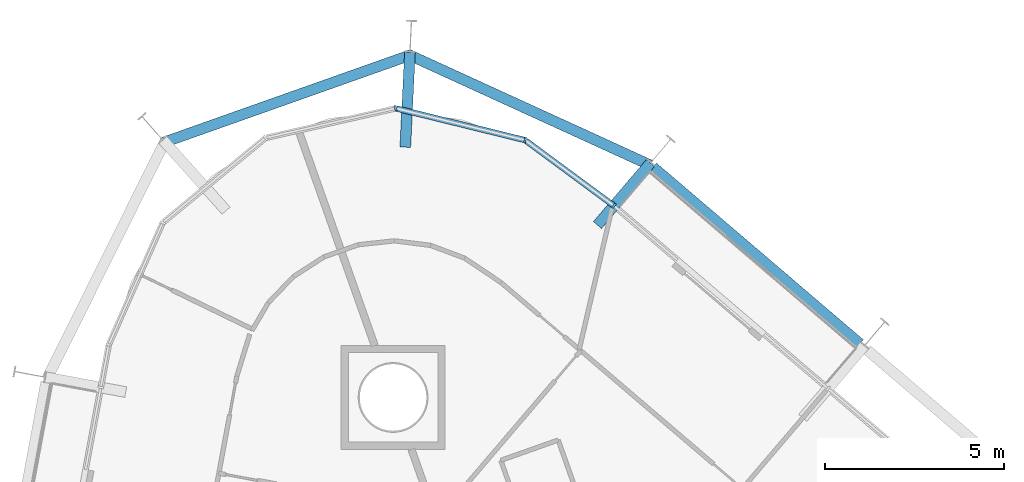
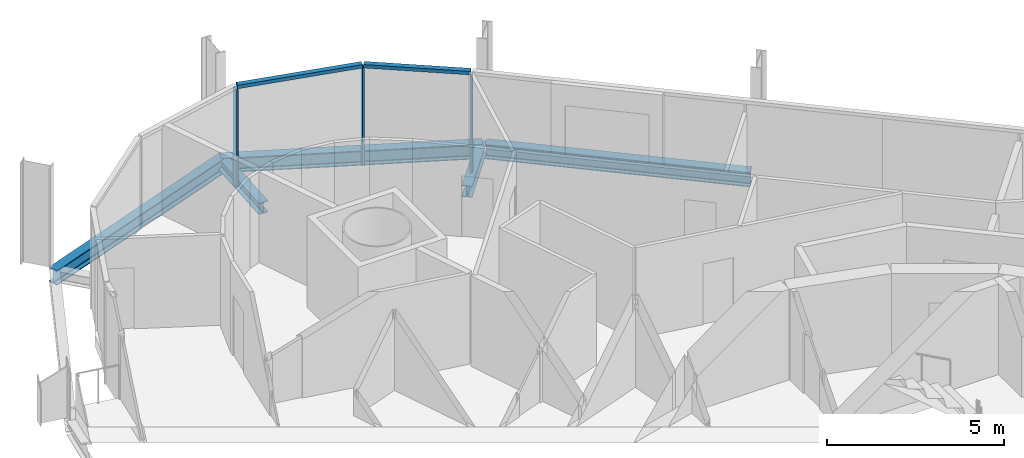
# One storey, part 7 of 17: 5 beams, 5 members, 1 element without a shape of its own.
"""IFC4 building model written with IfcOpenShell, lengths in metres."""

from ifc_helpers import new_model, si_unit, direction, frame, origin, origin_2d, place, context, subcontext, project, spatial, rectangle, i_section, extrude, material, layer, layer_set, material_profile, profile_set, type_object, element, aggregate, save


model = new_model("IFC4")

# Units and contexts
model_context = context("Model", 3, precision=1e-05, world=origin(), true_north=direction((0.0, 1.0)))
body_context = subcontext(model_context, "Body", "Model", "MODEL_VIEW")
ifc_project = project(units=[si_unit("LENGTHUNIT", "METRE"), si_unit("AREAUNIT", "SQUARE_METRE"), si_unit("VOLUMEUNIT", "CUBIC_METRE"), si_unit("PLANEANGLEUNIT", "RADIAN"), si_unit("MASSUNIT", "GRAM", prefix="KILO")], contexts=[model_context])

# Site, building, storey
site_placement = place(None, origin())
site = spatial("IfcSite", under=ifc_project, at=site_placement, CompositionType="ELEMENT")
building_placement = place(site_placement, origin())
building = spatial("IfcBuilding", under=site, at=building_placement, Name="Spindle Arch Residences", CompositionType="ELEMENT")
storey_placement = place(building_placement, frame((0.0, 0.0, 172.699951171875)))
storey = spatial("IfcBuildingStorey", under=building, at=storey_placement, Name="L43", CompositionType="ELEMENT", Elevation=172.699951171875)

# Curtain wall, members
ifc_material_1 = material(Name="Aluminium bronze unitised frame with tinted glass", Category="aluminium")
ifc_layer = layer(ifc_material_1, 0.159912109375)
ifc_layer_set = layer_set([ifc_layer], Name="CW-D corner wall on the fillet arcs")
curtain_wall_type = type_object("IfcCurtainWallType", Name="CW-D corner wall on the fillet arcs", PredefinedType="NOTDEFINED", material=ifc_layer_set)
curtain_wall_placement = place(storey_placement, origin())
curtain_wall = element("IfcCurtainWall", 1, at=curtain_wall_placement, inside=storey, type_object=curtain_wall_type, Name="CW-D L43 run 3", PredefinedType="NOTDEFINED")
ifc_material_2 = material(Name="Aluminium bronze anodised mullion", Category="aluminium")
ifc_material_profile_1 = material_profile(ifc_material_2, rectangle(XDim=0.159912109375, YDim=0.06005859375, at=origin_2d()), Name="MU 60x160")
ifc_profile_set_1 = profile_set([ifc_material_profile_1], Name="Aluminium bronze anodised mullion")
member_type_1 = type_object("IfcMemberType", Name="Bronze mullion 60x160", PredefinedType="MULLION", material=ifc_profile_set_1)
member_1_placement = place(storey_placement, frame((-0.86181640625, 25.213623046875, -0.3798828125), z_axis=(0.0, 0.0, 1.0), x_axis=(-0.594134492109, -0.804365716131, 0.0)))
member_1 = element("IfcMember", 2, at=member_1_placement, type_object=member_type_1, Name="CW-D mullion 00", PredefinedType="MULLION", context=body_context, shape_type="SweptSolid", body=[
    extrude(rectangle(XDim=0.159912109375, YDim=0.06005859375, at=origin_2d()), origin(), (0.0, 0.0, 1.0), 3.3798828125),
])
member_2_placement = place(storey_placement, frame((-3.3427734375, 27.046142578125, -0.3798828125), z_axis=(0.0, 0.0, 1.0), x_axis=(-0.239098401721, -0.970995342056, 0.0)))
member_2 = element("IfcMember", 3, at=member_2_placement, type_object=member_type_1, Name="CW-D mullion 01", PredefinedType="MULLION", context=body_context, shape_type="SweptSolid", body=[
    extrude(rectangle(XDim=0.159912109375, YDim=0.06005859375, at=origin_2d()), origin(), (0.0, 0.0, 1.0), 3.3798828125),
])
member_3_placement = place(storey_placement, frame((-6.96142578125, 27.937255859375, -0.3798828125), z_axis=(0.0, 0.0, 1.0), x_axis=(0.222115779633, -0.975020297449, 0.0)))
member_3 = element("IfcMember", 4, at=member_3_placement, type_object=member_type_1, Name="CW-D mullion 02", PredefinedType="MULLION", context=body_context, shape_type="SweptSolid", body=[
    extrude(rectangle(XDim=0.159912109375, YDim=0.06005859375, at=origin_2d()), origin(), (0.0, 0.0, 1.0), 3.3798828125),
])
ifc_material_3 = material(Name="Aluminium bronze anodised transom", Category="aluminium")
ifc_material_profile_2 = material_profile(ifc_material_3, rectangle(XDim=0.159912109375, YDim=0.1201171875, at=origin_2d()), Name="TR 120x160")
ifc_profile_set_2 = profile_set([ifc_material_profile_2], Name="Aluminium bronze anodised transom")
member_type_2 = type_object("IfcMemberType", Name="Bronze transom 120x160", PredefinedType="USERDEFINED", material=ifc_profile_set_2)
member_4_placement = place(storey_placement, frame((-0.8857421875, 25.2314453125, 3.06005859375), z_axis=(-0.804385788662, 0.594107316062, 0.0), x_axis=(-0.594107316062, -0.804385788662, 0.0)))
member_4 = element("IfcMember", 5, at=member_4_placement, type_object=member_type_2, Name="CW-D transom 00", ObjectType="TRANSOM", PredefinedType="USERDEFINED", context=body_context, shape_type="SweptSolid", body=[
    extrude(rectangle(XDim=0.159912109375, YDim=0.1201171875, at=origin_2d()), origin(), (0.0, 0.0, 1.0), 3.0244140625),
])
member_5_placement = place(storey_placement, frame((-3.371826171875, 27.053466796875, 3.06005859375), z_axis=(-0.970997997578, 0.239087617204, 0.0), x_axis=(-0.239087617204, -0.970997997578, 0.0)))
member_5 = element("IfcMember", 6, at=member_5_placement, type_object=member_type_2, Name="CW-D transom 01", ObjectType="TRANSOM", PredefinedType="USERDEFINED", context=body_context, shape_type="SweptSolid", body=[
    extrude(rectangle(XDim=0.159912109375, YDim=0.1201171875, at=origin_2d()), origin(), (0.0, 0.0, 1.0), 3.6669921875),
])
aggregate(curtain_wall, [member_1, member_4, member_2, member_5, member_3])

# Beams
ifc_material_4 = material(Name="Steel S460ML, intumescent coating R 120", Category="steel")
ifc_material_profile_3 = material_profile(ifc_material_4, i_section(OverallWidth=0.300048828125, OverallDepth=0.5, WebThickness=0.014404296875, FlangeThickness=0.028076171875, FilletRadius=0.027099609375, at=origin_2d()), Name="HEB 500")
ifc_profile_set_3 = profile_set([ifc_material_profile_3], Name="Steel S460ML, intumescent coating R 120")
beam_type_1 = type_object("IfcBeamType", Name="Exoskeleton edge beam HEB 500", PredefinedType="BEAM", material=ifc_profile_set_3)
beam_1_placement = place(storey_placement, frame((6.010009765625, 21.356689453125, -0.6298828125), z_axis=(-0.760418624565, 0.649433226294, 0.0), x_axis=(-0.649433226294, -0.760418624565, 0.0)))
element("IfcBeam", 7, at=beam_1_placement, inside=storey, type_object=beam_type_1, Name="Exoskeleton edge beam 9", PredefinedType="BEAM", context=body_context, shape_type="SweptSolid", body=[
    extrude(i_section(OverallWidth=0.300048828125, OverallDepth=0.5, WebThickness=0.014404296875, FlangeThickness=0.028076171875, FilletRadius=0.027099609375, at=origin_2d()), origin(), (0.0, 0.0, 1.0), 7.60009765625),
])
beam_2_placement = place(storey_placement, frame((0.151123046875, 26.34814453125, -0.6298828125), z_axis=(-0.909437531454, 0.415840566062, 0.0), x_axis=(-0.415840566062, -0.909437531454, 0.0)))
element("IfcBeam", 8, at=beam_2_placement, inside=storey, type_object=beam_type_1, Name="Exoskeleton edge beam 10", PredefinedType="BEAM", context=body_context, shape_type="SweptSolid", body=[
    extrude(i_section(OverallWidth=0.300048828125, OverallDepth=0.5, WebThickness=0.014404296875, FlangeThickness=0.028076171875, FilletRadius=0.027099609375, at=origin_2d()), origin(), (0.0, 0.0, 1.0), 7.42578125),
])
beam_3_placement = place(storey_placement, frame((-6.49853515625, 29.440185546875, -0.6298828125), z_axis=(-0.942642791069, -0.333803188189, 0.0), x_axis=(0.333803188189, -0.942642791069, 0.0)))
element("IfcBeam", 9, at=beam_3_placement, inside=storey, type_object=beam_type_1, Name="Exoskeleton edge beam 11", PredefinedType="BEAM", context=body_context, shape_type="SweptSolid", body=[
    extrude(i_section(OverallWidth=0.300048828125, OverallDepth=0.5, WebThickness=0.014404296875, FlangeThickness=0.028076171875, FilletRadius=0.027099609375, at=origin_2d()), origin(), (0.0, 0.0, 1.0), 7.403076171875),
])
ifc_material_5 = material(Name="Steel S460ML, intumescent coating R 120", Category="steel")
ifc_material_profile_4 = material_profile(ifc_material_5, i_section(OverallWidth=0.300048828125, OverallDepth=0.389892578125, WebThickness=0.010986328125, FlangeThickness=0.01904296875, FilletRadius=0.027099609375, at=origin_2d()), Name="HEA 400")
ifc_profile_set_4 = profile_set([ifc_material_profile_4], Name="Steel S460ML, intumescent coating R 120")
beam_type_2 = type_object("IfcBeamType", Name="Floor outrigger HEA 400", PredefinedType="BEAM", material=ifc_profile_set_4)
beam_4_placement = place(storey_placement, frame((0.157958984375, 26.407470703125, -0.574951171875), z_axis=(-0.649440691167, -0.76041224915, 0.0), x_axis=(0.76041224915, -0.649440691167, 0.0)))
element("IfcBeam", 10, at=beam_4_placement, inside=storey, type_object=beam_type_2, Name="Floor outrigger 10", PredefinedType="BEAM", context=body_context, shape_type="SweptSolid", body=[
    extrude(i_section(OverallWidth=0.300048828125, OverallDepth=0.389892578125, WebThickness=0.010986328125, FlangeThickness=0.01904296875, FilletRadius=0.027099609375, at=origin_2d()), origin(), (0.0, 0.0, 1.0), 2.279296875),
])
beam_5_placement = place(storey_placement, frame((-6.561279296875, 29.49609375, -0.574951171875), z_axis=(-0.048830159672, -0.998807096243, 0.0), x_axis=(0.998807096243, -0.048830159672, 0.0)))
element("IfcBeam", 11, at=beam_5_placement, inside=storey, type_object=beam_type_2, Name="Floor outrigger 11", PredefinedType="BEAM", context=body_context, shape_type="SweptSolid", body=[
    extrude(i_section(OverallWidth=0.300048828125, OverallDepth=0.389892578125, WebThickness=0.010986328125, FlangeThickness=0.01904296875, FilletRadius=0.027099609375, at=origin_2d()), origin(), (0.0, 0.0, 1.0), 2.64990234375),
])

save(model, "model.ifc")
